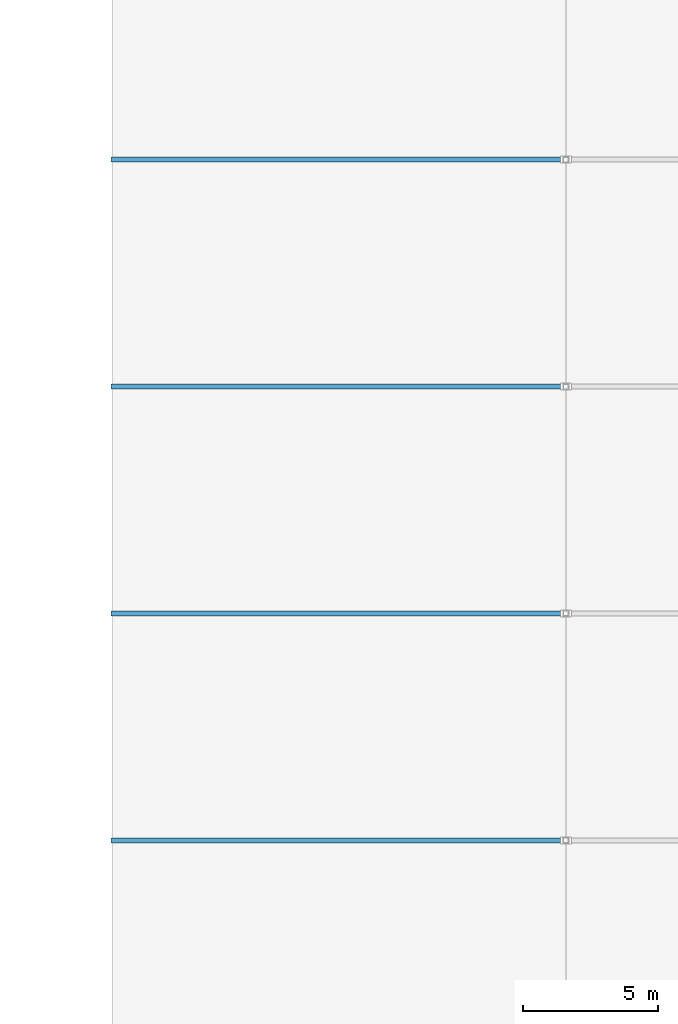
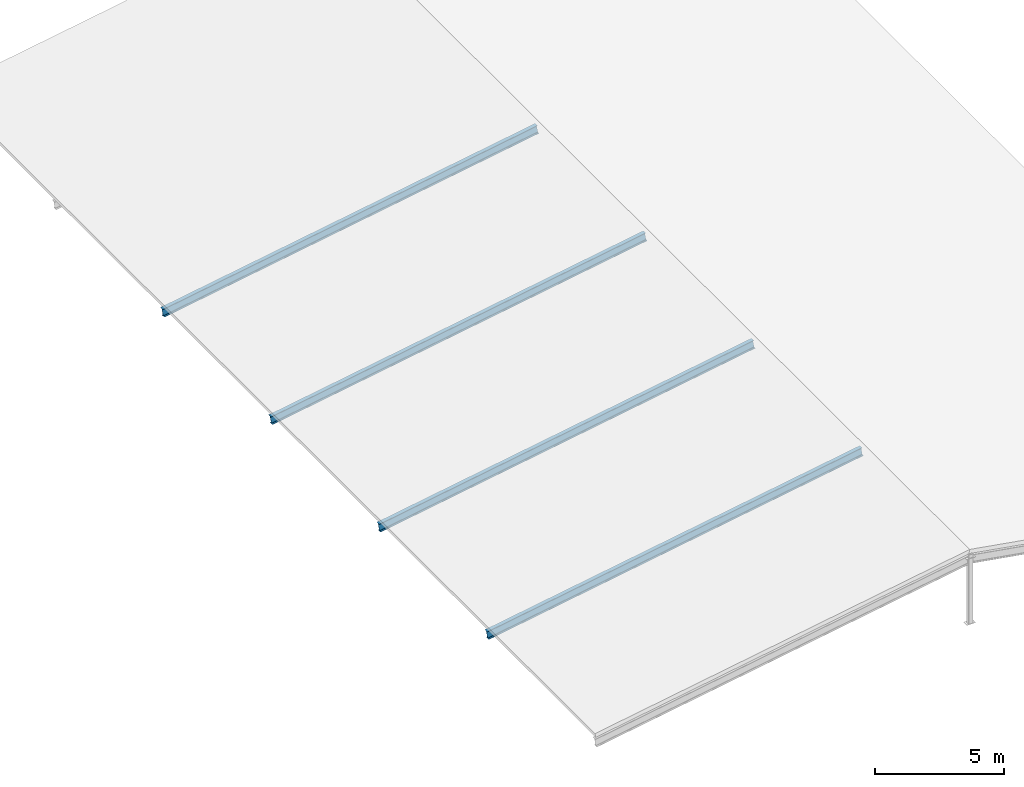
# One storey, part 10 of 31: 4 beams.
"""IFC4 building model written with IfcOpenShell, lengths in metres."""

from ifc_helpers import new_model, si_unit, direction, frame, origin, origin_2d, place, context, subcontext, project, spatial, i_section, extrude, material, material_profile, profile_set, type_object, element, save


model = new_model("IFC4")

# Units and contexts
model_context = context("Model", 3, precision=1e-05, world=origin(), true_north=direction((0.0, 1.0)))
body_context = subcontext(model_context, "Body", "Model", "MODEL_VIEW")
ifc_project = project(units=[si_unit("LENGTHUNIT", "METRE"), si_unit("AREAUNIT", "SQUARE_METRE"), si_unit("VOLUMEUNIT", "CUBIC_METRE"), si_unit("PLANEANGLEUNIT", "RADIAN"), si_unit("MASSUNIT", "GRAM", prefix="KILO")], contexts=[model_context])

# Site, building, storey
site_placement = place(None, origin())
site = spatial("IfcSite", under=ifc_project, at=site_placement, CompositionType="ELEMENT")
building_placement = place(site_placement, origin())
building = spatial("IfcBuilding", under=site, at=building_placement, Name="Varnapada Polytechnic", CompositionType="ELEMENT")
storey_placement = place(building_placement, frame((0.0, 0.0, 22.199951171875)))
storey = spatial("IfcBuildingStorey", under=building, at=storey_placement, Name="L05", CompositionType="ELEMENT", Elevation=22.199951171875)

# Beams
ifc_material = material(Name="Steel S355", Category="steel")
ifc_material_profile = material_profile(ifc_material, i_section(OverallWidth=0.179931640625, OverallDepth=0.39990234375, WebThickness=0.008544921875, FlangeThickness=0.013427734375, FilletRadius=0.02099609375, at=origin_2d()), Name="IPE 400")
ifc_profile_set = profile_set([ifc_material_profile], Name="Steel S355")
beam_type = type_object("IfcBeamType", Name="Library hipped roof rafter SB-06 (IPE 400)", PredefinedType="BEAM", material=ifc_profile_set)
for number, where, z_axis, x_axis, name in (
    (1, (142.800048828125, 75.60009765625, 0.2099609375), (0.986009811831, 0.0, 0.166687284976), (0.0, 1.0, 0.0), "Library west pitched rafter Y10"),
    (2, (142.800048828125, 84.0, 0.2099609375), (0.986009811831, 0.0, 0.166687284976), (0.0, 1.0, 0.0), "Library west pitched rafter Y11"),
    (3, (142.800048828125, 92.39990234375, 0.2099609375), (0.986009811831, 0.0, 0.166687284976), (0.0, 1.0, 0.0), "Library west pitched rafter Y12"),
    (4, (142.800048828125, 100.800048828125, 0.2099609375), (0.986009811831, 0.0, 0.166687284976), (0.0, 1.0, 0.0), "Library west pitched rafter Y13"),
):
    element("IfcBeam", number, at=place(storey_placement, frame(where, z_axis=z_axis, x_axis=x_axis)), inside=storey, type_object=beam_type, Name=name, PredefinedType="BEAM", context=body_context, shape_type="SweptSolid", body=[
        extrude(i_section(OverallWidth=0.179931640625, OverallDepth=0.39990234375, WebThickness=0.008544921875, FlangeThickness=0.013427734375, FilletRadius=0.02099609375, at=origin_2d()), origin(), (0.0, 0.0, 1.0), 17.038330078125),
    ])

save(model, "model.ifc")
